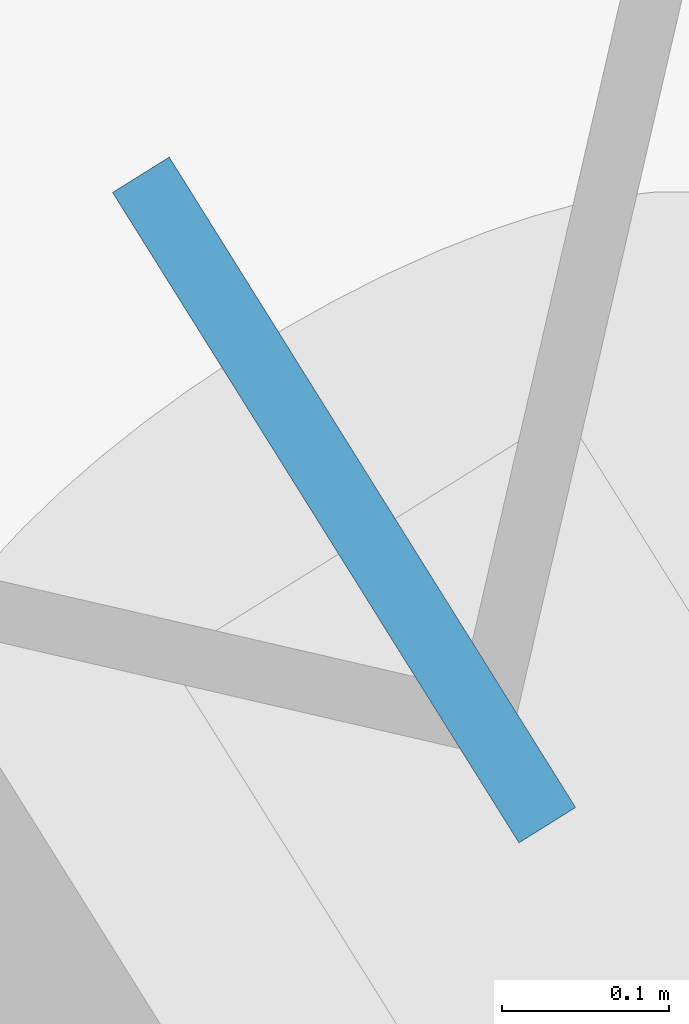
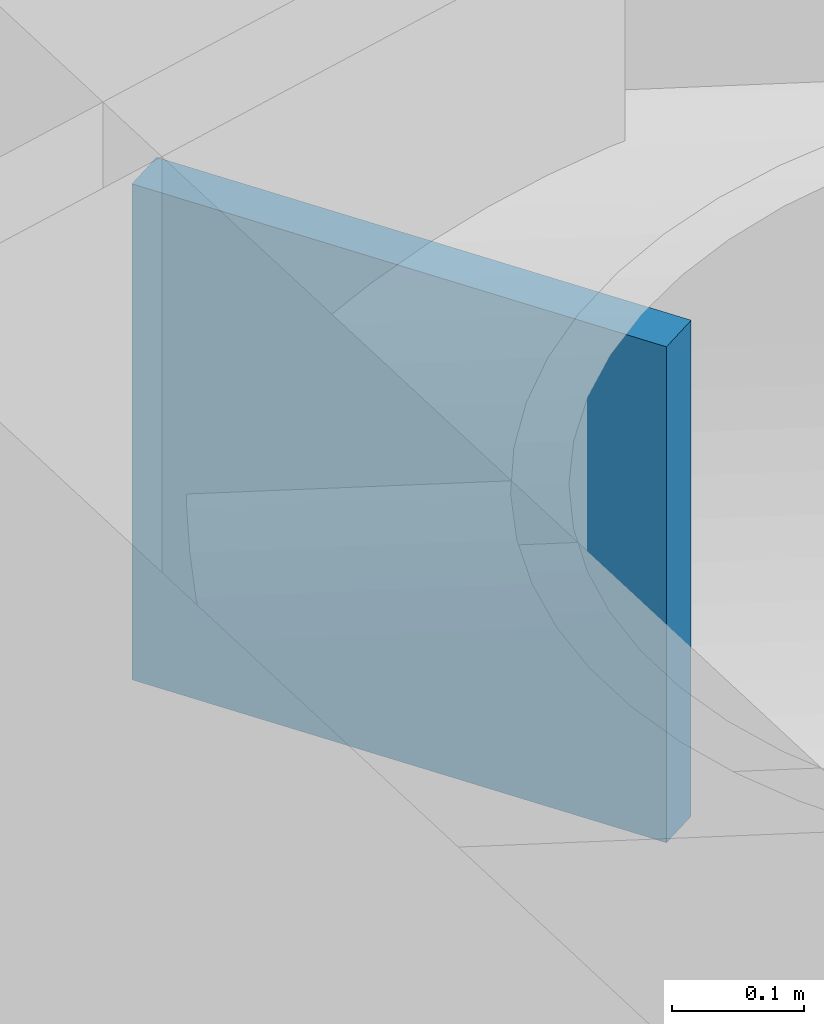
# One storey, part 18 of 19: 1 discrete accessory.
"""IFC4 building model written with IfcOpenShell, lengths in metres."""

from ifc_helpers import new_model, si_unit, direction, frame, origin, origin_2d, place, context, subcontext, project, spatial, rectangle, extrude, material, type_object, element, save


model = new_model("IFC4")

# Units and contexts
model_context = context("Model", 3, precision=1e-05, world=origin(), true_north=direction((0.0, 1.0)))
body_context = subcontext(model_context, "Body", "Model", "MODEL_VIEW")
ifc_project = project(units=[si_unit("LENGTHUNIT", "METRE"), si_unit("AREAUNIT", "SQUARE_METRE"), si_unit("VOLUMEUNIT", "CUBIC_METRE"), si_unit("PLANEANGLEUNIT", "RADIAN"), si_unit("MASSUNIT", "GRAM", prefix="KILO")], contexts=[model_context])

# Site, building, storey
site_placement = place(None, origin())
site = spatial("IfcSite", under=ifc_project, at=site_placement, CompositionType="ELEMENT")
building_placement = place(site_placement, origin())
building = spatial("IfcBuilding", under=site, at=building_placement, Name="Tavrogorsk Clinical Tower", CompositionType="ELEMENT")
storey_placement = place(building_placement, frame((0.0, 0.0, 75.39990234375)))
storey = spatial("IfcBuildingStorey", under=building, at=storey_placement, Name="L16", CompositionType="ELEMENT", Elevation=75.39990234375)

# Discrete accessory
ifc_material = material(Name="Structural steel S440", Category="steel")
discrete_accessory_type = type_object("IfcDiscreteAccessoryType", Name="GussetPlateBracket_25", PredefinedType="BRACKET", material=ifc_material)
discrete_accessory_placement = place(storey_placement, frame((36.65380859375, 14.481689453125, 0.212646484375), z_axis=(0.0, 0.0, 1.0), x_axis=(0.529919264233, -0.848048096156, 0.0)))
element("IfcDiscreteAccessory", 1, at=discrete_accessory_placement, inside=storey, type_object=discrete_accessory_type, Name="L16 Brace Gusset Plate EXOCRN-L16-2-A", PredefinedType="BRACKET", context=body_context, shape_type="SweptSolid", body=[
    extrude(rectangle(XDim=0.4599609375, YDim=0.0400390625, at=origin_2d()), origin(), (0.0, 0.0, 1.0), 0.4599609375),
])

save(model, "model.ifc")
